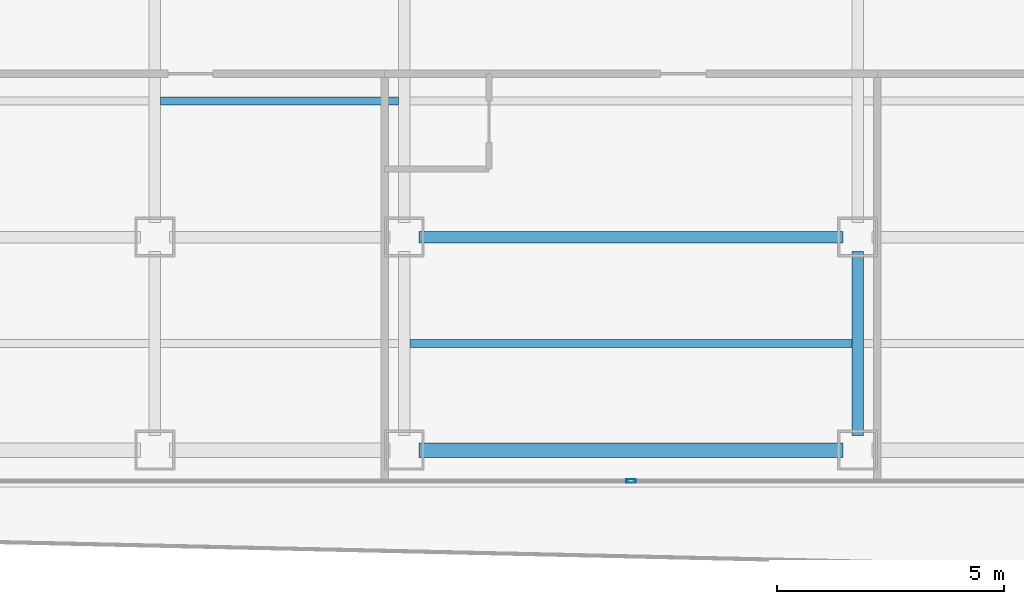
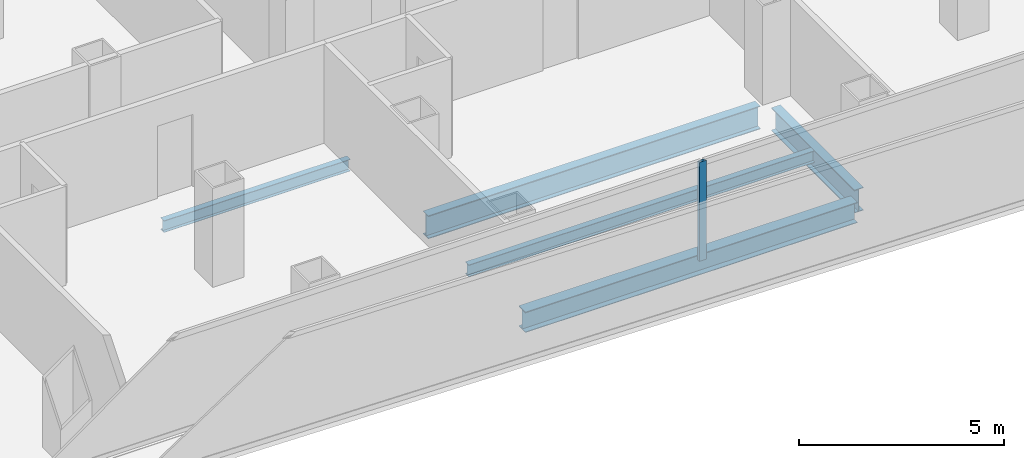
# One storey, part 4 of 21: 5 beams, 1 member, 1 element without a shape of its own.
"""IFC4 building model written with IfcOpenShell, lengths in metres."""

from ifc_helpers import new_model, si_unit, direction, frame, origin, origin_2d, place, context, subcontext, project, spatial, hollow_rectangle, i_section, extrude, source, transform, mapped, material, layer, layer_set, material_profile, profile_set, type_object, element, aggregate, save


model = new_model("IFC4")

# Units and contexts
model_context = context("Model", 3, precision=1e-05, world=origin(), true_north=direction((0.0, 1.0)))
body_context = subcontext(model_context, "Body", "Model", "MODEL_VIEW")
ifc_project = project(units=[si_unit("LENGTHUNIT", "METRE"), si_unit("AREAUNIT", "SQUARE_METRE"), si_unit("VOLUMEUNIT", "CUBIC_METRE"), si_unit("PLANEANGLEUNIT", "RADIAN"), si_unit("MASSUNIT", "GRAM", prefix="KILO")], contexts=[model_context])

# Site, building, storey
site_placement = place(None, origin())
site = spatial("IfcSite", under=ifc_project, at=site_placement, CompositionType="ELEMENT")
building_placement = place(site_placement, origin())
building = spatial("IfcBuilding", under=site, at=building_placement, Name="Kolveth Station Tower", CompositionType="ELEMENT")
storey_placement = place(building_placement, frame((0.0, 0.0, 118.300048828125)))
storey = spatial("IfcBuildingStorey", under=building, at=storey_placement, Name="L32", CompositionType="ELEMENT", Elevation=118.300048828125)

# Beams
ifc_material_1 = material(Name="Steel S355", Category="steel")
ifc_material_profile_1 = material_profile(ifc_material_1, i_section(OverallWidth=0.323974609375, OverallDepth=0.611083984375, WebThickness=0.0126953125, FlangeThickness=0.01904296875, at=origin_2d()), Name="W610x155")
ifc_profile_set_1 = profile_set([ifc_material_profile_1], Name="Steel S355")
beam_type_1 = type_object("IfcBeamType", Name="Beam_SP2", PredefinedType="SPANDREL", material=ifc_profile_set_1)
shared_shape_1 = source(origin(), body_context, "Body", "SweptSolid", [
    extrude(i_section(OverallWidth=0.323974609375, OverallDepth=0.611083984375, WebThickness=0.0126953125, FlangeThickness=0.01904296875, at=origin_2d()), origin(), (0.0, 0.0, 1.0), 9.35986328125),
])
beam_1_placement = place(storey_placement, frame((18.820068359375, 0.800048828125, -0.5556640625), z_axis=(1.0, 0.0, 0.0), x_axis=(0.0, 1.0, 0.0)))
element("IfcBeam", 1, at=beam_1_placement, inside=storey, type_object=beam_type_1, Name="L32 Perimeter Spandrel BM-L32-PS-3", PredefinedType="SPANDREL", context=body_context, shape_type="MappedRepresentation", body=[
    mapped(shared_shape_1, transform((0.0, 0.0, 0.0), x_axis=(1.0, 0.0, 0.0), y_axis=(0.0, 1.0, 0.0), z_axis=(0.0, 0.0, 1.0), scale=1.0)),
])
ifc_material_profile_2 = material_profile(ifc_material_1, i_section(OverallWidth=0.25390625, OverallDepth=0.68798828125, WebThickness=0.01318359375, FlangeThickness=0.02099609375, at=origin_2d()), Name="W690x152")
ifc_profile_set_2 = profile_set([ifc_material_profile_2], Name="Steel S355")
beam_type_2 = type_object("IfcBeamType", Name="Beam_B4", PredefinedType="BEAM", material=ifc_profile_set_2)
shared_shape_2 = source(origin(), body_context, "Body", "SweptSolid", [
    extrude(i_section(OverallWidth=0.25390625, OverallDepth=0.68798828125, WebThickness=0.01318359375, FlangeThickness=0.02099609375, at=origin_2d()), origin(), (0.0, 0.0, 1.0), 9.35986328125),
])
beam_2_placement = place(storey_placement, frame((18.820068359375, 5.5, -0.593994140625), z_axis=(1.0, 0.0, 0.0), x_axis=(0.0, 1.0, 0.0)))
element("IfcBeam", 2, at=beam_2_placement, inside=storey, type_object=beam_type_2, Name="L32 Primary Girder BM-L32-GY55-4", PredefinedType="BEAM", context=body_context, shape_type="MappedRepresentation", body=[
    mapped(shared_shape_2, transform((0.0, 0.0, 0.0), x_axis=(1.0, 0.0, 0.0), y_axis=(0.0, 1.0, 0.0), z_axis=(0.0, 0.0, 1.0), scale=1.0)),
])
shared_shape_3 = source(origin(), body_context, "Body", "SweptSolid", [
    extrude(i_section(OverallWidth=0.25390625, OverallDepth=0.68798828125, WebThickness=0.01318359375, FlangeThickness=0.02099609375, at=origin_2d()), origin(), (0.0, 0.0, 1.0), 4.059814453125),
])
beam_3_placement = place(storey_placement, frame((28.5, 1.1201171875, -0.593994140625), z_axis=(0.0, 1.0, 0.0), x_axis=(-1.0, 0.0, 0.0)))
element("IfcBeam", 3, at=beam_3_placement, inside=storey, type_object=beam_type_2, Name="L32 Primary Girder BM-L32-GX285-1", PredefinedType="BEAM", context=body_context, shape_type="MappedRepresentation", body=[
    mapped(shared_shape_3, transform((0.0, 0.0, 0.0), x_axis=(1.0, 0.0, 0.0), y_axis=(0.0, 1.0, 0.0), z_axis=(0.0, 0.0, 1.0), scale=1.0)),
])
ifc_material_profile_3 = material_profile(ifc_material_1, i_section(OverallWidth=0.1708984375, OverallDepth=0.35205078125, WebThickness=0.0068359375, FlangeThickness=0.009765625, at=origin_2d()), Name="W360x44")
ifc_profile_set_3 = profile_set([ifc_material_profile_3], Name="Steel S355")
beam_type_3 = type_object("IfcBeamType", Name="Beam_J2", PredefinedType="JOIST", material=ifc_profile_set_3)
shared_shape_4 = source(origin(), body_context, "Body", "SweptSolid", [
    extrude(i_section(OverallWidth=0.1708984375, OverallDepth=0.35205078125, WebThickness=0.0068359375, FlangeThickness=0.009765625, at=origin_2d()), origin(), (0.0, 0.0, 1.0), 5.25),
])
beam_4_placement = place(storey_placement, frame((13.125, 8.5, -0.426025390625), z_axis=(1.0, 0.0, 0.0), x_axis=(0.0, 1.0, 0.0)))
element("IfcBeam", 4, at=beam_4_placement, inside=storey, type_object=beam_type_3, Name="L32 Secondary Joist JST-L32-3-2", PredefinedType="JOIST", context=body_context, shape_type="MappedRepresentation", body=[
    mapped(shared_shape_4, transform((0.0, 0.0, 0.0), x_axis=(1.0, 0.0, 0.0), y_axis=(0.0, 1.0, 0.0), z_axis=(0.0, 0.0, 1.0), scale=1.0)),
])
shared_shape_5 = source(origin(), body_context, "Body", "SweptSolid", [
    extrude(i_section(OverallWidth=0.1708984375, OverallDepth=0.35205078125, WebThickness=0.0068359375, FlangeThickness=0.009765625, at=origin_2d()), origin(), (0.0, 0.0, 1.0), 9.75),
])
beam_5_placement = place(storey_placement, frame((18.625, 3.14990234375, -0.426025390625), z_axis=(1.0, 0.0, 0.0), x_axis=(0.0, 1.0, 0.0)))
element("IfcBeam", 5, at=beam_5_placement, inside=storey, type_object=beam_type_3, Name="L32 Secondary Joist JST-L32-4-1", PredefinedType="JOIST", context=body_context, shape_type="MappedRepresentation", body=[
    mapped(shared_shape_5, transform((0.0, 0.0, 0.0), x_axis=(1.0, 0.0, 0.0), y_axis=(0.0, 1.0, 0.0), z_axis=(0.0, 0.0, 1.0), scale=1.0)),
])

# Curtain wall, member
ifc_material_2 = material(Name="Aluminium 6063-T6 and low-E dark glass", Category="aluminium")
ifc_layer = layer(ifc_material_2, 0.18994140625)
ifc_layer_set = layer_set([ifc_layer], Name="Aluminium 6063-T6 and low-E dark glass")
curtain_wall_type = type_object("IfcCurtainWallType", Name="CurtainWall_CW-Z2", PredefinedType="NOTDEFINED", material=ifc_layer_set)
curtain_wall_placement = place(storey_placement, origin())
curtain_wall = element("IfcCurtainWall", 6, at=curtain_wall_placement, inside=storey, type_object=curtain_wall_type, Name="L32 Inner Thermal Curtain Wall 12", PredefinedType="NOTDEFINED")
ifc_material_3 = material(Name="Black anodized aluminium 6063-T6", Category="aluminium")
ifc_material_profile_4 = material_profile(ifc_material_3, hollow_rectangle(XDim=0.080078125, YDim=0.199951171875, WallThickness=0.0048828125, at=origin_2d()), Name="ALU-80x200x5")
ifc_profile_set_4 = profile_set([ifc_material_profile_4], Name="Black anodized aluminium 6063-T6")
member_type = type_object("IfcMemberType", Name="Mullion_ML2", PredefinedType="MULLION", material=ifc_profile_set_4)
shared_shape_6 = source(origin(), body_context, "Body", "SweptSolid", [
    extrude(hollow_rectangle(XDim=0.080078125, YDim=0.199951171875, WallThickness=0.0048828125, at=origin_2d()), origin(), (0.0, 0.0, 1.0), 2.949951171875),
])
member_placement = place(storey_placement, frame((23.5, 0.1201171875, 0.0), z_axis=(0.0, 0.0, 1.0), x_axis=(0.0, 1.0, 0.0)))
member = element("IfcMember", 7, at=member_placement, type_object=member_type, Name="CW-Z2 mullion 2", PredefinedType="MULLION", context=body_context, shape_type="MappedRepresentation", body=[
    mapped(shared_shape_6, transform((0.0, 0.0, 0.0), x_axis=(1.0, 0.0, 0.0), y_axis=(0.0, 1.0, 0.0), z_axis=(0.0, 0.0, 1.0), scale=1.0)),
])
aggregate(curtain_wall, [member])

save(model, "model.ifc")
